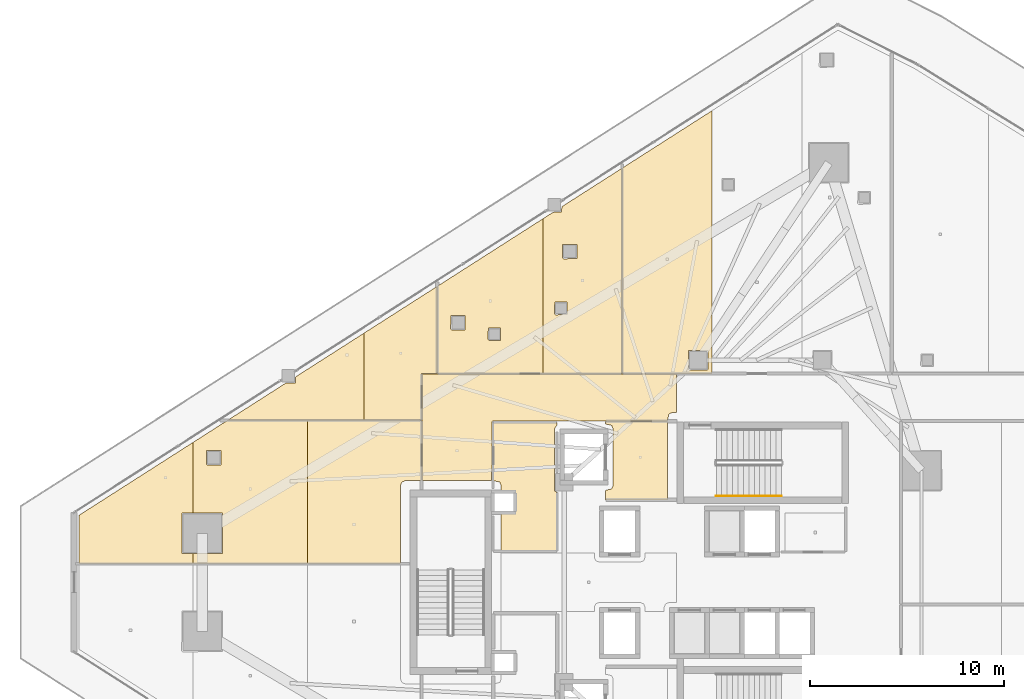
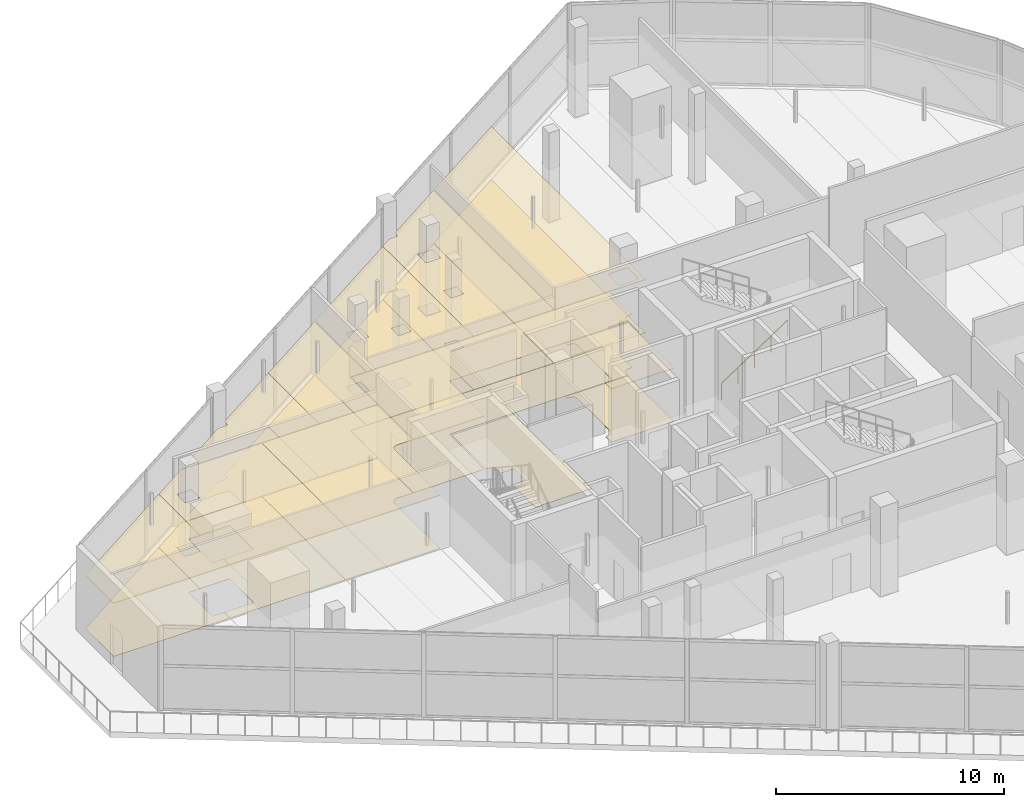
# One storey, part 33 of 36: 21 coverings, 1 railing.
"""IFC4 building model written with IfcOpenShell, lengths in metres."""

from ifc_helpers import new_model, si_unit, direction, frame, origin, origin_2d, place, context, subcontext, project, spatial, polyline, circle, outline, extrude, material, layer, layer_set, type_object, element, save


model = new_model("IFC4")

# Units and contexts
model_context = context("Model", 3, precision=1e-05, world=origin(), true_north=direction((0.0, 1.0)))
body_context = subcontext(model_context, "Body", "Model", "MODEL_VIEW")
ifc_project = project(units=[si_unit("LENGTHUNIT", "METRE"), si_unit("AREAUNIT", "SQUARE_METRE"), si_unit("VOLUMEUNIT", "CUBIC_METRE"), si_unit("PLANEANGLEUNIT", "RADIAN"), si_unit("MASSUNIT", "GRAM", prefix="KILO")], contexts=[model_context])

# Site, building, storey
site_placement = place(None, origin())
site = spatial("IfcSite", under=ifc_project, at=site_placement, CompositionType="ELEMENT")
building_placement = place(site_placement, origin())
building = spatial("IfcBuilding", under=site, at=building_placement, Name="Qorvath Tower", CompositionType="ELEMENT")
storey_placement = place(building_placement, frame((0.0, 0.0, 180.0)))
storey = spatial("IfcBuildingStorey", under=building, at=storey_placement, Name="L41", CompositionType="ELEMENT", Elevation=180.0)

# Coverings
ifc_material_1 = material(Name="Acoustic mineral fibre ceiling tile", Category="gypsum")
ifc_layer_1 = layer(ifc_material_1, 0.030029296875)
ifc_layer_set_1 = layer_set([ifc_layer_1], Name="COV-CEIL")
covering_type_1 = type_object("IfcCoveringType", Name="COV-CEIL", PredefinedType="CEILING", material=ifc_layer_set_1)
covering_1_placement = place(storey_placement, frame((0.0, 0.0, 2.85009765625)))
element("IfcCovering", 1, at=covering_1_placement, inside=storey, type_object=covering_type_1, Name="L41 Suspended Acoustic Ceiling 001", PredefinedType="CEILING", context=body_context, shape_type="SweptSolid", body=[
    extrude(outline(polyline([(-25.18994140625, 4.2548828125), (-25.18994140625, 8.294921875), (-28.375, 8.294921875), (-28.375, 8.159912109375), (-28.063232421875, 8.086669921875), (-27.989990234375, 7.909912109375), (-27.989990234375, 4.989990234375), (-28.063232421875, 4.813232421875), (-28.375, 4.739990234375), (-28.375, 4.2548828125), (-25.18994140625, 4.2548828125)])), origin(), (0.0, 0.0, 1.0), 0.030029296875),
])
covering_2_placement = place(storey_placement, frame((0.0, 0.0, 2.85009765625)))
element("IfcCovering", 2, at=covering_2_placement, inside=storey, type_object=covering_type_1, Name="L41 Suspended Acoustic Ceiling 007", PredefinedType="CEILING", context=body_context, shape_type="SweptSolid", body=[
    extrude(outline(polyline([(-24.72216796875, 8.75), (-24.72216796875, 10.7451171875), (-37.844970703125, 10.7451171875), (-37.844970703125, 5.239990234375), (-34.2509765625, 5.239990234375), (-34.219970703125, 8.324951171875), (-25.18994140625, 8.324951171875), (-25.11669921875, 8.6767578125), (-24.93994140625, 8.75), (-24.72216796875, 8.75)])), origin(), (0.0, 0.0, 1.0), 0.030029296875),
])
covering_3_placement = place(storey_placement, frame((0.0, 0.0, 2.85009765625)))
element("IfcCovering", 3, at=covering_3_placement, inside=storey, type_object=covering_type_1, Name="L41 Suspended Acoustic Ceiling 009", PredefinedType="CEILING", context=body_context, shape_type="SweptSolid", body=[
    extrude(outline(polyline([(-40.8271484375, 8.35498046875), (-40.8271484375, 12.84814453125), (-44.351318359375, 10.595703125), (-44.368896484375, 10.284912109375), (-44.865234375, 10.267333984375), (-47.857177734375, 8.35498046875), (-40.8271484375, 8.35498046875)])), origin(), (0.0, 0.0, 1.0), 0.030029296875),
])
covering_4_placement = place(storey_placement, frame((0.0, 0.0, 2.85009765625)))
element("IfcCovering", 4, at=covering_4_placement, inside=storey, type_object=covering_type_1, Name="L41 Suspended Acoustic Ceiling 010", PredefinedType="CEILING", context=body_context, shape_type="SweptSolid", body=[
    extrude(outline(polyline([(-37.062744140625, 10.762939453125), (-37.062744140625, 15.254150390625), (-40.8271484375, 12.84814453125), (-40.8271484375, 8.35498046875), (-37.863037109375, 8.35498046875), (-37.863037109375, 10.758056640625), (-37.062744140625, 10.762939453125)])), origin(), (0.0, 0.0, 1.0), 0.030029296875),
])
covering_5_placement = place(storey_placement, frame((0.0, 0.0, 2.85009765625)))
element("IfcCovering", 5, at=covering_5_placement, inside=storey, type_object=covering_type_1, Name="L41 Suspended Acoustic Ceiling 011", PredefinedType="CEILING", context=body_context, shape_type="SweptSolid", body=[
    extrude(outline(polyline([(-31.614013671875, 10.762939453125), (-31.614013671875, 18.736572265625), (-37.044677734375, 15.265625), (-37.044677734375, 10.762939453125), (-31.614013671875, 10.762939453125)]), holes=[polyline([(-34.439208984375, 12.517578125), (-34.421630859375, 13.10986328125), (-33.786865234375, 13.10986328125), (-33.786865234375, 12.47509765625), (-34.379150390625, 12.45751953125), (-34.439208984375, 12.517578125)]), polyline([(-36.36572265625, 13.055908203125), (-36.34814453125, 13.748291015625), (-35.61328125, 13.748291015625), (-35.61328125, 13.013427734375), (-36.3056640625, 12.995849609375), (-36.36572265625, 13.055908203125)])]), origin(), (0.0, 0.0, 1.0), 0.030029296875),
])
covering_6_placement = place(storey_placement, frame((0.0, 0.0, 2.85009765625)))
element("IfcCovering", 6, at=covering_6_placement, inside=storey, type_object=covering_type_1, Name="L41 Suspended Acoustic Ceiling 012", PredefinedType="CEILING", context=body_context, shape_type="SweptSolid", body=[
    extrude(outline(polyline([(-27.525146484375, 10.762939453125), (-27.525146484375, 21.349853515625), (-30.631103515625, 19.36474609375), (-30.648681640625, 19.093017578125), (-31.083740234375, 19.075439453125), (-31.614013671875, 18.736572265625), (-31.614013671875, 10.762939453125), (-27.525146484375, 10.762939453125)]), holes=[polyline([(-30.60986328125, 16.734619140625), (-30.59228515625, 17.427001953125), (-29.857421875, 17.427001953125), (-29.857421875, 16.692138671875), (-30.5498046875, 16.674560546875), (-30.60986328125, 16.734619140625)]), polyline([(-31.01220703125, 13.849365234375), (-30.99462890625, 14.441650390625), (-30.35986328125, 14.441650390625), (-30.35986328125, 13.806884765625), (-30.9521484375, 13.789306640625), (-31.01220703125, 13.849365234375)])]), origin(), (0.0, 0.0, 1.0), 0.030029296875),
])
covering_7_placement = place(storey_placement, frame((0.0, 0.0, 2.85009765625)))
element("IfcCovering", 7, at=covering_7_placement, inside=storey, type_object=covering_type_1, Name="L41 Suspended Acoustic Ceiling 013", PredefinedType="CEILING", context=body_context, shape_type="SweptSolid", body=[
    extrude(outline(polyline([(-27.507080078125, 10.762939453125), (-22.880859375, 10.762939453125), (-22.880859375, 24.318359375), (-27.507080078125, 21.361328125), (-27.507080078125, 10.762939453125)]), holes=[polyline([(-24.110107421875, 11.0), (-24.092529296875, 11.9423828125), (-23.107666015625, 11.9423828125), (-23.107666015625, 10.95751953125), (-24.050048828125, 10.93994140625), (-24.110107421875, 11.0)])]), origin(), (0.0, 0.0, 1.0), 0.030029296875),
])
covering_8_placement = place(storey_placement, frame((0.0, 0.0, 2.85009765625)))
element("IfcCovering", 8, at=covering_8_placement, inside=storey, type_object=covering_type_1, Name="L41 Suspended Acoustic Ceiling 031", PredefinedType="CEILING", context=body_context, shape_type="SweptSolid", body=[
    extrude(outline(polyline([(-49.637451171875, 0.96630859375), (-49.637451171875, 1.4853515625), (-50.21435546875, 1.4853515625), (-50.21435546875, 3.5703125), (-49.637451171875, 3.5703125), (-49.637451171875, 7.21728515625), (-55.52490234375, 3.454345703125), (-55.52490234375, 0.96630859375), (-49.637451171875, 0.96630859375)])), origin(), (0.0, 0.0, 1.0), 0.030029296875),
])
covering_9_placement = place(storey_placement, frame((0.0, 0.0, 2.85009765625)))
element("IfcCovering", 9, at=covering_9_placement, inside=storey, type_object=covering_type_1, Name="L41 Suspended Acoustic Ceiling 032", PredefinedType="CEILING", context=body_context, shape_type="SweptSolid", body=[
    extrude(outline(polyline([(-43.750244140625, 0.96630859375), (-43.750244140625, 8.3369140625), (-47.885498046875, 8.3369140625), (-49.637451171875, 7.21728515625), (-49.637451171875, 3.5703125), (-48.12939453125, 3.5703125), (-48.12939453125, 1.4853515625), (-49.637451171875, 1.4853515625), (-49.637451171875, 0.96630859375), (-43.750244140625, 0.96630859375)]), holes=[polyline([(-48.96337890625, 6.099609375), (-48.94580078125, 6.7919921875), (-48.2109375, 6.7919921875), (-48.2109375, 6.05712890625), (-48.9033203125, 6.03955078125), (-48.96337890625, 6.099609375)])]), origin(), (0.0, 0.0, 1.0), 0.030029296875),
])
covering_10_placement = place(storey_placement, frame((0.0, 0.0, 2.85009765625)))
element("IfcCovering", 10, at=covering_10_placement, inside=storey, type_object=covering_type_1, Name="L41 Suspended Acoustic Ceiling 033", PredefinedType="CEILING", context=body_context, shape_type="SweptSolid", body=[
    extrude(outline(polyline([(-37.863037109375, 5.239990234375), (-37.863037109375, 8.3369140625), (-43.750244140625, 8.3369140625), (-43.750244140625, 0.96630859375), (-38.949951171875, 0.96630859375), (-38.949951171875, 4.989990234375), (-38.876708984375, 5.166748046875), (-38.699951171875, 5.239990234375), (-37.863037109375, 5.239990234375)])), origin(), (0.0, 0.0, 1.0), 0.030029296875),
])
ifc_material_2 = material(Name="Low-VOC modular carpet tile", Category="textile")
ifc_layer_2 = layer(ifc_material_2, 0.014892578125)
ifc_layer_set_2 = layer_set([ifc_layer_2], Name="COV-FLOOR-CPT")
covering_type_2 = type_object("IfcCoveringType", Name="COV-FLOOR-CPT", PredefinedType="FLOORING", material=ifc_layer_set_2)
covering_11_placement = place(storey_placement, origin())
element("IfcCovering", 11, at=covering_11_placement, inside=storey, type_object=covering_type_2, Name="L41 Floor Finish 009", PredefinedType="FLOORING", context=body_context, shape_type="SweptSolid", body=[
    extrude(outline(polyline([(-40.8271484375, 8.35498046875), (-40.8271484375, 12.84814453125), (-44.351318359375, 10.595703125), (-44.368896484375, 10.284912109375), (-44.865234375, 10.267333984375), (-47.857177734375, 8.35498046875), (-40.8271484375, 8.35498046875)])), origin(), (0.0, 0.0, 1.0), 0.014892578125),
])
covering_12_placement = place(storey_placement, origin())
element("IfcCovering", 12, at=covering_12_placement, inside=storey, type_object=covering_type_2, Name="L41 Floor Finish 010", PredefinedType="FLOORING", context=body_context, shape_type="SweptSolid", body=[
    extrude(outline(polyline([(-37.062744140625, 10.762939453125), (-37.062744140625, 15.254150390625), (-40.8271484375, 12.84814453125), (-40.8271484375, 8.35498046875), (-37.863037109375, 8.35498046875), (-37.863037109375, 10.758056640625), (-37.062744140625, 10.762939453125)])), origin(), (0.0, 0.0, 1.0), 0.014892578125),
])
covering_13_placement = place(storey_placement, origin())
element("IfcCovering", 13, at=covering_13_placement, inside=storey, type_object=covering_type_2, Name="L41 Floor Finish 011", PredefinedType="FLOORING", context=body_context, shape_type="SweptSolid", body=[
    extrude(outline(polyline([(-31.614013671875, 10.762939453125), (-31.614013671875, 18.736572265625), (-37.044677734375, 15.265625), (-37.044677734375, 10.762939453125), (-31.614013671875, 10.762939453125)]), holes=[polyline([(-34.439208984375, 12.517578125), (-34.421630859375, 13.10986328125), (-33.786865234375, 13.10986328125), (-33.786865234375, 12.47509765625), (-34.379150390625, 12.45751953125), (-34.439208984375, 12.517578125)]), polyline([(-36.36572265625, 13.055908203125), (-36.34814453125, 13.748291015625), (-35.61328125, 13.748291015625), (-35.61328125, 13.013427734375), (-36.3056640625, 12.995849609375), (-36.36572265625, 13.055908203125)])]), origin(), (0.0, 0.0, 1.0), 0.014892578125),
])
covering_14_placement = place(storey_placement, origin())
element("IfcCovering", 14, at=covering_14_placement, inside=storey, type_object=covering_type_2, Name="L41 Floor Finish 012", PredefinedType="FLOORING", context=body_context, shape_type="SweptSolid", body=[
    extrude(outline(polyline([(-27.525146484375, 10.762939453125), (-27.525146484375, 21.349853515625), (-30.631103515625, 19.36474609375), (-30.648681640625, 19.093017578125), (-31.083740234375, 19.075439453125), (-31.614013671875, 18.736572265625), (-31.614013671875, 10.762939453125), (-27.525146484375, 10.762939453125)]), holes=[polyline([(-30.60986328125, 16.734619140625), (-30.59228515625, 17.427001953125), (-29.857421875, 17.427001953125), (-29.857421875, 16.692138671875), (-30.5498046875, 16.674560546875), (-30.60986328125, 16.734619140625)]), polyline([(-31.01220703125, 13.849365234375), (-30.99462890625, 14.441650390625), (-30.35986328125, 14.441650390625), (-30.35986328125, 13.806884765625), (-30.9521484375, 13.789306640625), (-31.01220703125, 13.849365234375)])]), origin(), (0.0, 0.0, 1.0), 0.014892578125),
])
covering_15_placement = place(storey_placement, origin())
element("IfcCovering", 15, at=covering_15_placement, inside=storey, type_object=covering_type_2, Name="L41 Floor Finish 013", PredefinedType="FLOORING", context=body_context, shape_type="SweptSolid", body=[
    extrude(outline(polyline([(-27.507080078125, 10.762939453125), (-22.880859375, 10.762939453125), (-22.880859375, 24.318359375), (-27.507080078125, 21.361328125), (-27.507080078125, 10.762939453125)]), holes=[polyline([(-24.110107421875, 11.0), (-24.092529296875, 11.9423828125), (-23.107666015625, 11.9423828125), (-23.107666015625, 10.95751953125), (-24.050048828125, 10.93994140625), (-24.110107421875, 11.0)])]), origin(), (0.0, 0.0, 1.0), 0.014892578125),
])
covering_16_placement = place(storey_placement, origin())
element("IfcCovering", 16, at=covering_16_placement, inside=storey, type_object=covering_type_2, Name="L41 Floor Finish 031", PredefinedType="FLOORING", context=body_context, shape_type="SweptSolid", body=[
    extrude(outline(polyline([(-49.637451171875, 0.96630859375), (-49.637451171875, 1.4853515625), (-50.21435546875, 1.4853515625), (-50.21435546875, 3.5703125), (-49.637451171875, 3.5703125), (-49.637451171875, 7.21728515625), (-55.52490234375, 3.454345703125), (-55.52490234375, 0.96630859375), (-49.637451171875, 0.96630859375)])), origin(), (0.0, 0.0, 1.0), 0.014892578125),
])
covering_17_placement = place(storey_placement, origin())
element("IfcCovering", 17, at=covering_17_placement, inside=storey, type_object=covering_type_2, Name="L41 Floor Finish 032", PredefinedType="FLOORING", context=body_context, shape_type="SweptSolid", body=[
    extrude(outline(polyline([(-43.750244140625, 0.96630859375), (-43.750244140625, 8.3369140625), (-47.885498046875, 8.3369140625), (-49.637451171875, 7.21728515625), (-49.637451171875, 3.5703125), (-48.12939453125, 3.5703125), (-48.12939453125, 1.4853515625), (-49.637451171875, 1.4853515625), (-49.637451171875, 0.96630859375), (-43.750244140625, 0.96630859375)]), holes=[polyline([(-48.96337890625, 6.099609375), (-48.94580078125, 6.7919921875), (-48.2109375, 6.7919921875), (-48.2109375, 6.05712890625), (-48.9033203125, 6.03955078125), (-48.96337890625, 6.099609375)])]), origin(), (0.0, 0.0, 1.0), 0.014892578125),
])
covering_18_placement = place(storey_placement, origin())
element("IfcCovering", 18, at=covering_18_placement, inside=storey, type_object=covering_type_2, Name="L41 Floor Finish 033", PredefinedType="FLOORING", context=body_context, shape_type="SweptSolid", body=[
    extrude(outline(polyline([(-37.863037109375, 5.239990234375), (-37.863037109375, 8.3369140625), (-43.750244140625, 8.3369140625), (-43.750244140625, 0.96630859375), (-38.949951171875, 0.96630859375), (-38.949951171875, 4.989990234375), (-38.876708984375, 5.166748046875), (-38.699951171875, 5.239990234375), (-37.863037109375, 5.239990234375)])), origin(), (0.0, 0.0, 1.0), 0.014892578125),
])
ifc_material_3 = material(Name="Polished epoxy terrazzo flooring", Category="concrete")
ifc_layer_3 = layer(ifc_material_3, 0.02001953125)
ifc_layer_set_3 = layer_set([ifc_layer_3], Name="COV-FLOOR-TRZ")
covering_type_3 = type_object("IfcCoveringType", Name="COV-FLOOR-TRZ", PredefinedType="FLOORING", material=ifc_layer_set_3)
covering_19_placement = place(storey_placement, origin())
element("IfcCovering", 19, at=covering_19_placement, inside=storey, type_object=covering_type_3, Name="L41 Floor Finish 001", PredefinedType="FLOORING", context=body_context, shape_type="SweptSolid", body=[
    extrude(outline(polyline([(-25.18994140625, 4.2548828125), (-25.18994140625, 8.294921875), (-28.375, 8.294921875), (-28.375, 8.159912109375), (-28.063232421875, 8.086669921875), (-27.989990234375, 7.909912109375), (-27.989990234375, 4.989990234375), (-28.063232421875, 4.813232421875), (-28.375, 4.739990234375), (-28.375, 4.2548828125), (-25.18994140625, 4.2548828125)])), origin(), (0.0, 0.0, 1.0), 0.014892578125),
])
covering_20_placement = place(storey_placement, origin())
element("IfcCovering", 20, at=covering_20_placement, inside=storey, type_object=covering_type_3, Name="L41 Floor Finish 004", PredefinedType="FLOORING", context=body_context, shape_type="SweptSolid", body=[
    extrude(outline(polyline([(-30.885009765625, 8.2451171875), (-34.175048828125, 8.2451171875), (-34.175048828125, 5.239990234375), (-33.833251953125, 5.166748046875), (-33.760009765625, 4.989990234375), (-33.760009765625, 4.633056640625), (-33.0869140625, 4.6279296875), (-33.08837890625, 3.638427734375), (-33.760009765625, 3.636962890625), (-33.760009765625, 1.60498046875), (-30.885009765625, 1.60498046875), (-30.885009765625, 4.639892578125), (-31.010009765625, 4.699951171875), (-31.010009765625, 7.909912109375), (-30.885009765625, 8.108154296875), (-30.885009765625, 8.2451171875)])), origin(), (0.0, 0.0, 1.0), 0.014892578125),
])
covering_21_placement = place(storey_placement, origin())
element("IfcCovering", 21, at=covering_21_placement, inside=storey, type_object=covering_type_3, Name="L41 Floor Finish 007", PredefinedType="FLOORING", context=body_context, shape_type="SweptSolid", body=[
    extrude(outline(polyline([(-24.72216796875, 8.75), (-24.72216796875, 10.7451171875), (-37.844970703125, 10.7451171875), (-37.844970703125, 5.239990234375), (-34.2509765625, 5.239990234375), (-34.219970703125, 8.324951171875), (-25.18994140625, 8.324951171875), (-25.11669921875, 8.6767578125), (-24.93994140625, 8.75), (-24.72216796875, 8.75)])), origin(), (0.0, 0.0, 1.0), 0.014892578125),
])

# Railing
ifc_material_4 = material(Name="Brushed stainless steel AISI 304", Category="steel")
railing_type = type_object("IfcRailingType", Name="RL-STR-HND", PredefinedType="HANDRAIL", material=ifc_material_4)
railing_placement = place(storey_placement, frame((-22.669921875, 4.449951171875, 0.1845703125)))
element("IfcRailing", 22, at=railing_placement, inside=storey, type_object=railing_type, Name="L41 TS1 stair handrail 1", PredefinedType="HANDRAIL", context=body_context, shape_type="SweptSolid", body=[
    extrude(circle(Radius=0.02392578125, at=origin_2d()), frame((0.0, 0.0, 0.8759765625), z_axis=(0.834858096282, 0.0, 0.550465220583), x_axis=(0.0, 1.0, 0.0)), (0.0, 0.0, 1.0), 4.0244140625),
    extrude(circle(Radius=0.02099609375, at=origin_2d()), origin(), (0.0, 0.0, 1.0), 0.851806640625),
    extrude(circle(Radius=0.02099609375, at=origin_2d()), frame((0.83984375, 0.0, 0.5537109375)), (0.0, 0.0, 1.0), 0.851806640625),
    extrude(circle(Radius=0.02099609375, at=origin_2d()), frame((1.679931640625, 0.0, 1.107666015625)), (0.0, 0.0, 1.0), 0.851806640625),
    extrude(circle(Radius=0.02099609375, at=origin_2d()), frame((2.52001953125, 0.0, 1.66162109375)), (0.0, 0.0, 1.0), 0.851806640625),
    extrude(circle(Radius=0.02099609375, at=origin_2d()), frame((3.35986328125, 0.0, 2.21533203125)), (0.0, 0.0, 1.0), 0.851806640625),
])

save(model, "model.ifc")
